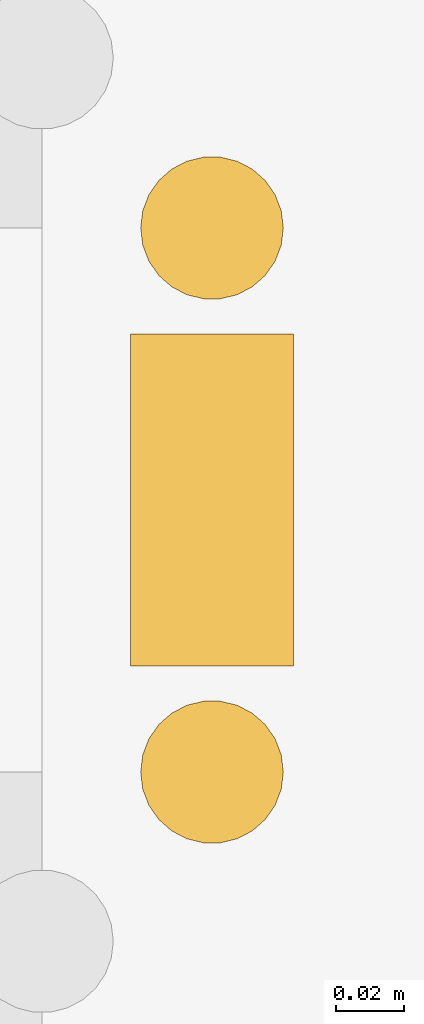
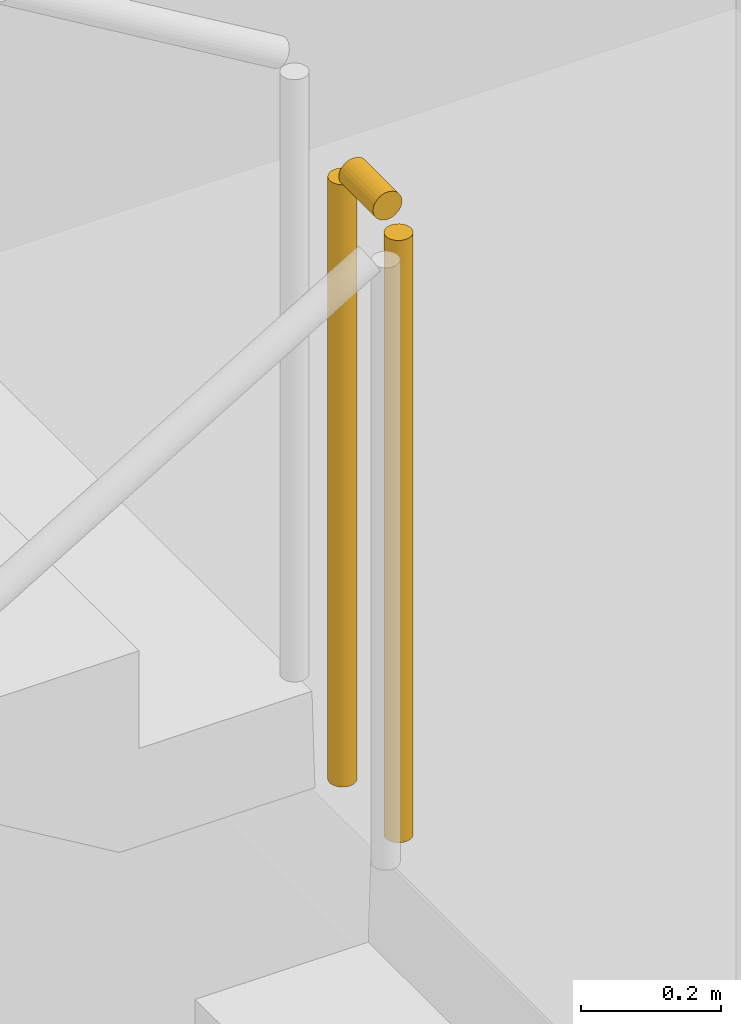
# One storey, part 117 of 132: 1 railing.
"""IFC4 building model written with IfcOpenShell, lengths in metres."""

from ifc_helpers import new_model, si_unit, direction, frame, origin, origin_2d, place, context, subcontext, project, spatial, circle, extrude, material, type_object, element, save


model = new_model("IFC4")

# Units and contexts
model_context = context("Model", 3, precision=1e-05, world=origin(), true_north=direction((0.0, 1.0)))
body_context = subcontext(model_context, "Body", "Model", "MODEL_VIEW")
ifc_project = project(units=[si_unit("LENGTHUNIT", "METRE"), si_unit("AREAUNIT", "SQUARE_METRE"), si_unit("VOLUMEUNIT", "CUBIC_METRE"), si_unit("PLANEANGLEUNIT", "RADIAN"), si_unit("MASSUNIT", "GRAM", prefix="KILO")], contexts=[model_context])

# Site, building, storey
site_placement = place(None, origin())
site = spatial("IfcSite", under=ifc_project, at=site_placement, CompositionType="ELEMENT")
building_placement = place(site_placement, origin())
building = spatial("IfcBuilding", under=site, at=building_placement, Name="Tanwirah Colonnade Gardens", CompositionType="ELEMENT")
storey_placement = place(building_placement, origin())
storey = spatial("IfcBuildingStorey", under=building, at=storey_placement, Name="L00", CompositionType="ELEMENT", Elevation=0.0)

# Railing
ifc_material = material(Name="Powder-coated galvanized steel", Category="steel")
railing_type = type_object("IfcRailingType", Name="GRD-ST110", PredefinedType="GUARDRAIL", material=ifc_material)
railing_placement = place(storey_placement, frame((73.35498046875, 24.6298828125, 2.3798828125)))
element("IfcRailing", 1, at=railing_placement, inside=storey, type_object=railing_type, Name="L00 ST-SW stair guard 2", PredefinedType="GUARDRAIL", context=body_context, shape_type="SweptSolid", body=[
    extrude(circle(Radius=0.02392578125, at=origin_2d()), frame((0.0, 0.03125, 1.076171875), z_axis=(0.0, 1.0, 0.0), x_axis=(-1.0, 0.0, 0.0)), (0.0, 0.0, 1.0), 0.09765625),
    extrude(circle(Radius=0.02099609375, at=origin_2d()), origin(), (0.0, 0.0, 1.0), 1.049072265625),
    extrude(circle(Radius=0.02099609375, at=origin_2d()), frame((0.0, 0.16015625, 0.0)), (0.0, 0.0, 1.0), 1.049072265625),
])

save(model, "model.ifc")
